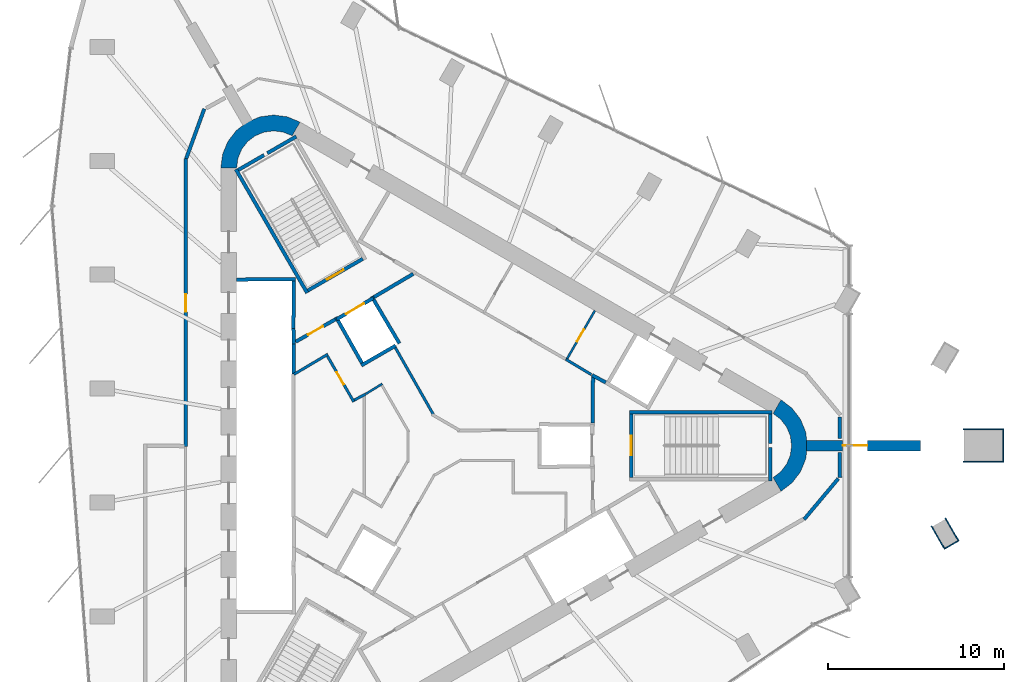
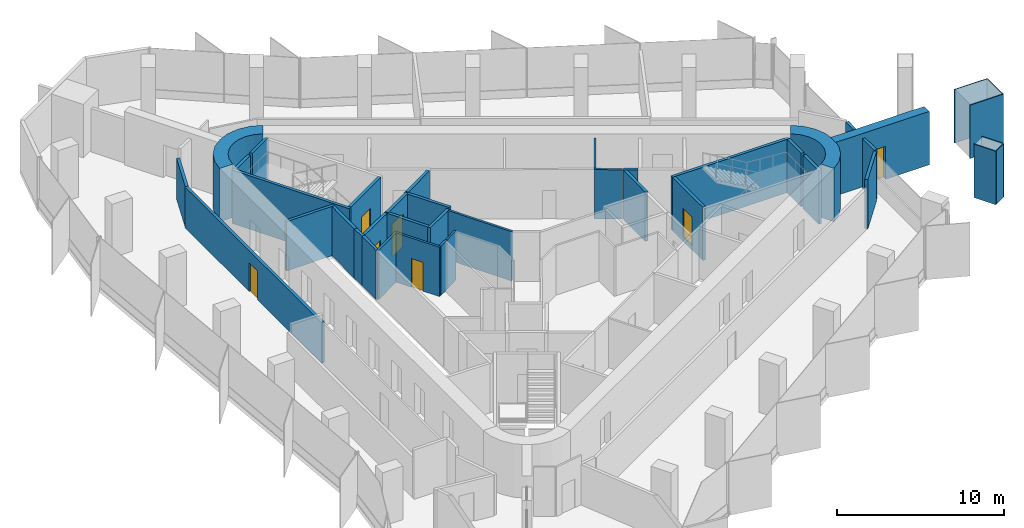
# One storey, part 9 of 12: 41 walls, 8 doors, 8 openings.
"""IFC4 building model written with IfcOpenShell, lengths in metres."""

from ifc_helpers import new_model, si_unit, direction, frame, frame_2d, origin, place, context, subcontext, project, spatial, polyline, rectangle, outline, extrude, material, layer, layer_set, type_object, element, fill, save


model = new_model("IFC4")

# Units and contexts
model_context = context("Model", 3, precision=1e-05, world=origin(), true_north=direction((0.0, 1.0)))
body_context = subcontext(model_context, "Body", "Model", "MODEL_VIEW")
ifc_project = project(units=[si_unit("LENGTHUNIT", "METRE"), si_unit("AREAUNIT", "SQUARE_METRE"), si_unit("VOLUMEUNIT", "CUBIC_METRE"), si_unit("PLANEANGLEUNIT", "RADIAN"), si_unit("MASSUNIT", "GRAM", prefix="KILO")], contexts=[model_context])

# Site, building, storey
site_placement = place(None, origin())
site = spatial("IfcSite", under=ifc_project, at=site_placement, CompositionType="ELEMENT")
building_placement = place(site_placement, origin())
building = spatial("IfcBuilding", under=site, at=building_placement, Name="Tanit Gate Tower", CompositionType="ELEMENT")
storey_placement = place(building_placement, frame((0.0, 0.0, 384.5)))
storey = spatial("IfcBuildingStorey", under=building, at=storey_placement, Name="L88", CompositionType="ELEMENT", Elevation=384.5)

# Wall, opening, door
ifc_material_1 = material(Name="Concrete C40/50", Category="concrete")
ifc_layer_1 = layer(ifc_material_1, 0.60009765625)
ifc_layer_set_1 = layer_set([ifc_layer_1], Name="BUTTRESS FIN 600 C40/50")
wall_type_1 = type_object("IfcWallType", Name="BUTTRESS FIN 600 C40/50", PredefinedType="SHEAR", material=ifc_layer_set_1)
wall_1_placement = place(storey_placement, frame((21.14990234375, 0.0, 0.0), z_axis=(0.0, 0.0, 1.0), x_axis=(1.0, 0.0, 0.0)))
wall_1 = element("IfcWall", 1, at=wall_1_placement, inside=storey, type_object=wall_type_1, Name="BUTTRESS FIN", PredefinedType="SHEAR", context=body_context, shape_type="SweptSolid", body=[
    extrude(rectangle(XDim=6.455078125, YDim=0.60009765625, at=frame_2d((3.2275390625, 0.0))), origin(), (0.0, 0.0, 1.0), 3.89990234375),
])
opening_1_placement = place(wall_1_placement, frame((2.050048828125, 0.0, 0.0)))
opening_1 = element("IfcOpeningElement", 2, at=opening_1_placement, cuts=wall_1, Name="Opening P14-88-F-E-1", PredefinedType="OPENING", context=body_context, shape_type="SweptSolid", body=[
    extrude(rectangle(XDim=1.39990234375, YDim=2.39990234375, at=frame_2d((0.699951171875, 1.199951171875))), frame((0.0, 0.31005859375, 0.0), z_axis=(0.0, -1.0, 0.0), x_axis=(1.0, 0.0, 0.0)), (0.0, 0.0, 1.0), 0.6201171875),
])
ifc_material_2 = material(Name="Timber door leaf", Category="wood")
door_type_1 = type_object("IfcDoorType", Name="INT-DOOR-FIN-PAIR-1400", OperationType="NOTDEFINED", PredefinedType="NOTDEFINED", material=ifc_material_2)
door_1_placement = place(opening_1_placement, origin())
door_1 = element("IfcDoor", 3, at=door_1_placement, inside=storey, type_object=door_type_1, Name="Door P14-88-F-E-1", OperationType="DOUBLE_DOOR_SINGLE_SWING", OverallHeight=2.39990234375, OverallWidth=1.39990234375, PredefinedType="NOTDEFINED", context=body_context, shape_type="SweptSolid", body=[
    extrude(rectangle(XDim=1.39990234375, YDim=2.39990234375, at=frame_2d((0.699951171875, 1.199951171875))), frame((0.0, 0.02490234375, 0.0), z_axis=(0.0, -1.0, 0.0), x_axis=(1.0, 0.0, 0.0)), (0.0, 0.0, 1.0), 0.050048828125),
])
fill(opening_1, door_1)

# Walls
ifc_material_3 = material(Name="Concrete C40/50", Category="concrete")
ifc_layer_2 = layer(ifc_material_3, 0.89990234375)
ifc_layer_set_2 = layer_set([ifc_layer_2], Name="CORE WALL 900 C40/50")
wall_type_2 = type_object("IfcWallType", Name="CORE WALL 900 C40/50", PredefinedType="SHEAR", material=ifc_layer_set_2)
wall_2_placement = place(storey_placement, origin())
element("IfcWall", 4, at=wall_2_placement, inside=storey, type_object=wall_type_2, Name="CORE WALL CORNER", PredefinedType="SHEAR", context=body_context, shape_type="SweptSolid", body=[
    extrude(outline(polyline([(-7.60009765625, 18.359619140625), (-8.323486328125, 18.659423828125), (-9.10009765625, 18.76171875), (-9.87646484375, 18.659423828125), (-10.60009765625, 18.359619140625), (-11.22119140625, 17.883056640625), (-11.697998046875, 17.26171875), (-11.997802734375, 16.5380859375), (-12.10009765625, 15.76171875), (-11.199951171875, 15.76171875), (-11.12841796875, 16.30517578125), (-10.918701171875, 16.811767578125), (-10.5849609375, 17.24658203125), (-10.14990234375, 17.580322265625), (-9.6435546875, 17.7900390625), (-9.10009765625, 17.86181640625), (-8.556396484375, 17.7900390625), (-8.050048828125, 17.580322265625), (-7.60009765625, 18.359619140625)])), origin(), (0.0, 0.0, 1.0), 3.89990234375),
])
wall_3_placement = place(storey_placement, origin())
element("IfcWall", 5, at=wall_3_placement, inside=storey, type_object=wall_type_2, Name="CORE WALL CORNER", PredefinedType="SHEAR", context=body_context, shape_type="SweptSolid", body=[
    extrude(outline(polyline([(19.699951171875, -2.59814453125), (20.3212890625, -2.121337890625), (20.798095703125, -1.5), (21.097900390625, -0.776611328125), (21.199951171875, 0.0), (21.097900390625, 0.776611328125), (20.798095703125, 1.5), (20.3212890625, 2.121337890625), (19.699951171875, 2.59814453125), (19.25, 1.818603515625), (19.684814453125, 1.48486328125), (20.018798828125, 1.050048828125), (20.228515625, 0.54345703125), (20.300048828125, 0.0), (20.228515625, -0.54345703125), (20.018798828125, -1.050048828125), (19.684814453125, -1.48486328125), (19.25, -1.818603515625), (19.699951171875, -2.59814453125)])), origin(), (0.0, 0.0, 1.0), 3.89990234375),
])
ifc_material_4 = material(Name="Bronze anodised aluminium cladding", Category="aluminium")
ifc_layer_3 = layer(ifc_material_4, 0.06005859375)
ifc_layer_set_3 = layer_set([ifc_layer_3], Name="Column casing bronze 60")
wall_type_3 = type_object("IfcWallType", Name="Column casing bronze 60", PredefinedType="SOLIDWALL", material=ifc_layer_set_3)
for number, where, z_axis, x_axis, name in (
    (6, (30.03564453125, 0.929931640625, 0.0), (0.0, 0.0, 1.0), (1.0, 0.0, 0.0), "Column casing L88 M-E.L1"),
    (7, (30.03564453125, -0.929931640625, 0.0), (0.0, 0.0, 1.0), (1.0, 0.0, 0.0), "Column casing L88 M-E.L2"),
):
    element("IfcWall", number, at=place(storey_placement, frame(where, z_axis=z_axis, x_axis=x_axis)), inside=storey, type_object=wall_type_3, Name=name, PredefinedType="SOLIDWALL", context=body_context, shape_type="SweptSolid", body=[
        extrude(rectangle(XDim=2.320068359375, YDim=0.06005859375, at=frame_2d((1.16015625, 0.0))), origin(), (0.0, 0.0, 1.0), 3.89990234375),
    ])
wall_4_placement = place(storey_placement, frame((32.32568359375, -0.89990234375, 0.0), z_axis=(0.0, 0.0, 1.0), x_axis=(0.0, 1.0, 0.0)))
element("IfcWall", 8, at=wall_4_placement, inside=storey, type_object=wall_type_3, Name="Column casing L88 M-E.S1", PredefinedType="SOLIDWALL", context=body_context, shape_type="SweptSolid", body=[
    extrude(rectangle(XDim=1.7998046875, YDim=0.06005859375, at=frame_2d((0.89990234375, 0.0))), origin(), (0.0, 0.0, 1.0), 3.89990234375),
])
for number, where, z_axis, x_axis, name in (
    (9, (29.023681640625, -4.11328125, 0.0), (0.0, 0.0, 1.0), (0.499991248344, -0.866030456496, 0.0), "Column casing L88 P-SE8.L1"),
    (10, (28.235595703125, -4.568115234375, 0.0), (0.0, 0.0, 1.0), (0.499991248344, -0.866030456496, 0.0), "Column casing L88 P-SE8.L2"),
):
    element("IfcWall", number, at=place(storey_placement, frame(where, z_axis=z_axis, x_axis=x_axis)), inside=storey, type_object=wall_type_3, Name=name, PredefinedType="SOLIDWALL", context=body_context, shape_type="SweptSolid", body=[
        extrude(rectangle(XDim=1.52001953125, YDim=0.06005859375, at=frame_2d((0.760009765625, 0.0))), origin(), (0.0, 0.0, 1.0), 3.89990234375),
    ])
wall_5_placement = place(storey_placement, frame((29.006591796875, -5.843505859375, 0.0), z_axis=(0.0, 0.0, 1.0), x_axis=(0.866113839764, 0.499846793097, 0.0)))
element("IfcWall", 11, at=wall_5_placement, inside=storey, type_object=wall_type_3, Name="Column casing L88 P-SE8.S1", PredefinedType="SOLIDWALL", context=body_context, shape_type="SweptSolid", body=[
    extrude(rectangle(XDim=0.849853515625, YDim=0.06005859375, at=frame_2d((0.4248046875, 0.0))), origin(), (0.0, 0.0, 1.0), 3.89990234375),
])
ifc_material_5 = material(Name="Fire-rated gypsum board partition")
ifc_layer_4 = layer(ifc_material_5, 0.199951171875)
ifc_layer_set_4 = layer_set([ifc_layer_4], Name="INT-WALL-COMPARTMENT")
wall_type_4 = type_object("IfcWallType", Name="INT-WALL-COMPARTMENT", PredefinedType="PARTITIONING", material=ifc_layer_set_4)
wall_6_placement = place(storey_placement, frame((8.97412109375, 3.998779296875, 0.0), z_axis=(0.0, 0.0, 1.0), x_axis=(0.880917147855, -0.473270513147, 0.0)))
element("IfcWall", 12, at=wall_6_placement, inside=storey, type_object=wall_type_4, Name="Wall Compartment W048", PredefinedType="PARTITIONING", context=body_context, shape_type="SweptSolid", body=[
    extrude(rectangle(XDim=0.8779296875, YDim=0.199951171875, at=frame_2d((0.43896484375, 0.0))), origin(), (0.0, 0.0, 1.0), 3.60009765625),
])
wall_7_placement = place(storey_placement, frame((9.0009765625, 1.27001953125, 0.0), z_axis=(0.0, 0.0, 1.0), x_axis=(0.010751103362, 0.999942205218, 0.0)))
element("IfcWall", 13, at=wall_7_placement, inside=storey, type_object=wall_type_4, Name="Wall Compartment W062", PredefinedType="PARTITIONING", context=body_context, shape_type="SweptSolid", body=[
    extrude(rectangle(XDim=2.72509765625, YDim=0.199951171875, at=frame_2d((1.362548828125, 0.0))), origin(), (0.0, 0.0, 1.0), 3.60009765625),
])
wall_8_placement = place(storey_placement, frame((-1.1787109375, 9.744873046875, 0.0), z_axis=(0.0, 0.0, 1.0), x_axis=(-0.860630814782, -0.509229418482, 0.0)))
element("IfcWall", 14, at=wall_8_placement, inside=storey, type_object=wall_type_4, Name="Wall Compartment W064", PredefinedType="PARTITIONING", context=body_context, shape_type="SweptSolid", body=[
    extrude(rectangle(XDim=2.581787109375, YDim=0.199951171875, at=frame_2d((1.291015625, 0.0))), origin(), (0.0, 0.0, 1.0), 3.60009765625),
])

# Wall, opening, door
wall_9_placement = place(storey_placement, frame((-5.600341796875, 7.16015625, 0.0), z_axis=(0.0, 0.0, 1.0), x_axis=(-0.871363259478, -0.490638431059, 0.0)))
wall_9 = element("IfcWall", 15, at=wall_9_placement, inside=storey, type_object=wall_type_4, Name="Wall Compartment W065", PredefinedType="PARTITIONING", context=body_context, shape_type="SweptSolid", body=[
    extrude(rectangle(XDim=2.5810546875, YDim=0.199951171875, at=frame_2d((1.29052734375, 0.0))), origin(), (0.0, 0.0, 1.0), 3.60009765625),
])
opening_2_placement = place(wall_9_placement, frame((0.79052734375, 0.0, 0.0)))
opening_2 = element("IfcOpeningElement", 16, at=opening_2_placement, cuts=wall_9, Name="Opening F10-88-05", PredefinedType="OPENING", context=body_context, shape_type="SweptSolid", body=[
    extrude(rectangle(XDim=1.0, YDim=2.10009765625, at=frame_2d((0.5, 1.050048828125))), frame((0.0, 0.10986328125, 0.0), z_axis=(0.0, -1.0, 0.0), x_axis=(1.0, 0.0, 0.0)), (0.0, 0.0, 1.0), 0.219970703125),
])
ifc_material_6 = material(Name="Fire-rated steel door leaf", Category="steel")
door_type_2 = type_object("IfcDoorType", Name="INT-DOOR-FIRE-1000", OperationType="NOTDEFINED", PredefinedType="USERDEFINED", material=ifc_material_6)
door_2_placement = place(opening_2_placement, origin())
door_2 = element("IfcDoor", 17, at=door_2_placement, inside=storey, type_object=door_type_2, Name="Door F10-88-05", ObjectType="FIRE DOOR", OperationType="SINGLE_SWING_LEFT", OverallHeight=2.10009765625, OverallWidth=1.0, PredefinedType="USERDEFINED", context=body_context, shape_type="SweptSolid", body=[
    extrude(rectangle(XDim=1.0, YDim=2.10009765625, at=frame_2d((0.5, 1.050048828125))), frame((0.0, 0.02490234375, 0.0), z_axis=(0.0, -1.0, 0.0), x_axis=(1.0, 0.0, 0.0)), (0.0, 0.0, 1.0), 0.050048828125),
])
fill(opening_2, door_2)

wall_10_placement = place(storey_placement, frame((-14.10009765625, 16.293701171875, 0.0), z_axis=(0.0, 0.0, 1.0), x_axis=(0.0, -1.0, 0.0)))
wall_10 = element("IfcWall", 18, at=wall_10_placement, inside=storey, type_object=wall_type_4, Name="Wall Compartment W092", PredefinedType="PARTITIONING", context=body_context, shape_type="SweptSolid", body=[
    extrude(rectangle(XDim=16.34375, YDim=0.199951171875, at=frame_2d((8.171875, 0.0))), origin(), (0.0, 0.0, 1.0), 2.969970703125),
])
opening_3_placement = place(wall_10_placement, frame((7.699951171875, 0.0, 0.0)))
opening_3 = element("IfcOpeningElement", 19, at=opening_3_placement, cuts=wall_10, Name="Opening F10-88-21", PredefinedType="OPENING", context=body_context, shape_type="SweptSolid", body=[
    extrude(rectangle(XDim=1.0, YDim=2.10009765625, at=frame_2d((0.5, 1.050048828125))), frame((0.0, 0.10986328125, 0.0), z_axis=(0.0, -1.0, 0.0), x_axis=(1.0, 0.0, 0.0)), (0.0, 0.0, 1.0), 0.219970703125),
])
door_3_placement = place(opening_3_placement, origin())
door_3 = element("IfcDoor", 20, at=door_3_placement, inside=storey, type_object=door_type_2, Name="Door F10-88-21", ObjectType="FIRE DOOR", OperationType="SINGLE_SWING_RIGHT", OverallHeight=2.10009765625, OverallWidth=1.0, PredefinedType="USERDEFINED", context=body_context, shape_type="SweptSolid", body=[
    extrude(rectangle(XDim=1.0, YDim=2.10009765625, at=frame_2d((0.5, 1.050048828125))), frame((0.0, 0.02490234375, 0.0), z_axis=(0.0, -1.0, 0.0), x_axis=(1.0, 0.0, 0.0)), (0.0, 0.0, 1.0), 0.050048828125),
])
fill(opening_3, door_3)

# Walls
wall_11_placement = place(storey_placement, frame((-13.037841796875, 19.11181640625, 0.0), z_axis=(0.0, 0.0, 1.0), x_axis=(-0.342062629946, -0.939677155833, 0.0)))
element("IfcWall", 21, at=wall_11_placement, inside=storey, type_object=wall_type_4, Name="Wall Compartment W093", PredefinedType="PARTITIONING", context=body_context, shape_type="SweptSolid", body=[
    extrude(rectangle(XDim=3.005615234375, YDim=0.199951171875, at=frame_2d((1.5029296875, 0.0))), origin(), (0.0, 0.0, 1.0), 2.969970703125),
])
wall_12_placement = place(storey_placement, frame((23.02294921875, 0.39990234375, 0.0), z_axis=(0.0, 0.0, 1.0), x_axis=(0.017127676622, 0.999853310588, 0.0)))
element("IfcWall", 22, at=wall_12_placement, inside=storey, type_object=wall_type_4, Name="Wall Compartment W107", PredefinedType="PARTITIONING", context=body_context, shape_type="SweptSolid", body=[
    extrude(rectangle(XDim=1.211669921875, YDim=0.199951171875, at=frame_2d((0.60595703125, 0.0))), origin(), (0.0, 0.0, 1.0), 3.60009765625),
])
wall_13_placement = place(storey_placement, frame((23.046875, -1.80126953125, 0.0), z_axis=(0.0, 0.0, 1.0), x_axis=(-0.017070682919, 0.999854285276, 0.0)))
element("IfcWall", 23, at=wall_13_placement, inside=storey, type_object=wall_type_4, Name="Wall Compartment W116", PredefinedType="PARTITIONING", context=body_context, shape_type="SweptSolid", body=[
    extrude(rectangle(XDim=1.401611328125, YDim=0.199951171875, at=frame_2d((0.70068359375, 0.0))), origin(), (0.0, 0.0, 1.0), 3.60009765625),
])
wall_14_placement = place(storey_placement, frame((21.009765625, -4.190673828125, 0.0), z_axis=(0.0, 0.0, 1.0), x_axis=(0.642808479337, 0.766026930918, 0.0)))
element("IfcWall", 24, at=wall_14_placement, inside=storey, type_object=wall_type_4, Name="Wall Compartment W117", PredefinedType="PARTITIONING", context=body_context, shape_type="SweptSolid", body=[
    extrude(rectangle(XDim=3.015625, YDim=0.199951171875, at=frame_2d((1.5078125, 0.0))), origin(), (0.0, 0.0, 1.0), 3.60009765625),
])

# Wall, opening, door
ifc_material_7 = material(Name="Gypsum board partition")
ifc_layer_5 = layer(ifc_material_7, 0.1201171875)
ifc_layer_set_5 = layer_set([ifc_layer_5], Name="INT-WALL-PARTITION")
wall_type_5 = type_object("IfcWallType", Name="INT-WALL-PARTITION", PredefinedType="PARTITIONING", material=ifc_layer_set_5)
wall_15_placement = place(storey_placement, frame((7.50830078125, 4.844970703125, 0.0), z_axis=(0.0, 0.0, 1.0), x_axis=(0.500017246033, 0.866015446554, 0.0)))
wall_15 = element("IfcWall", 25, at=wall_15_placement, inside=storey, type_object=wall_type_5, Name="Wall Partition W047", PredefinedType="PARTITIONING", context=body_context, shape_type="SweptSolid", body=[
    extrude(rectangle(XDim=3.25, YDim=0.1201171875, at=frame_2d((1.625, 0.0))), origin(), (0.0, 0.0, 1.0), 3.60009765625),
])
opening_4_placement = place(wall_15_placement, frame((1.22509765625, 0.0, 0.0)))
opening_4 = element("IfcOpeningElement", 26, at=opening_4_placement, cuts=wall_15, Name="Opening R08-88-14", PredefinedType="OPENING", context=body_context, shape_type="SweptSolid", body=[
    extrude(rectangle(XDim=0.800048828125, YDim=2.10009765625, at=frame_2d((0.39990234375, 1.050048828125))), frame((0.0, 0.070068359375, 0.0), z_axis=(0.0, -1.0, 0.0), x_axis=(1.0, 0.0, 0.0)), (0.0, 0.0, 1.0), 0.14013671875),
])
ifc_material_8 = material(Name="Timber door leaf", Category="wood")
door_type_3 = type_object("IfcDoorType", Name="INT-DOOR-RISER-800", OperationType="NOTDEFINED", PredefinedType="USERDEFINED", material=ifc_material_8)
door_4_placement = place(opening_4_placement, origin())
door_4 = element("IfcDoor", 27, at=door_4_placement, inside=storey, type_object=door_type_3, Name="Door R08-88-14", ObjectType="FIRE DOOR", OperationType="SINGLE_SWING_RIGHT", OverallHeight=2.10009765625, OverallWidth=0.800048828125, PredefinedType="USERDEFINED", context=body_context, shape_type="SweptSolid", body=[
    extrude(rectangle(XDim=0.800048828125, YDim=2.10009765625, at=frame_2d((0.39990234375, 1.050048828125))), frame((0.0, 0.02490234375, 0.0), z_axis=(0.0, -1.0, 0.0), x_axis=(1.0, 0.0, 0.0)), (0.0, 0.0, 1.0), 0.050048828125),
])
fill(opening_4, door_4)

# Walls
wall_16_placement = place(storey_placement, frame((-2.93505859375, 3.50341796875, 0.0), z_axis=(0.0, 0.0, 1.0), x_axis=(-0.852482838041, -0.522755211209, 0.0)))
element("IfcWall", 28, at=wall_16_placement, inside=storey, type_object=wall_type_5, Name="Wall Partition W084", PredefinedType="PARTITIONING", context=body_context, shape_type="SweptSolid", body=[
    extrude(rectangle(XDim=1.0966796875, YDim=0.1201171875, at=frame_2d((0.54833984375, 0.0))), origin(), (0.0, 0.0, 1.0), 3.60009765625),
])
ifc_material_9 = material(Name="Fire-rated gypsum board partition")
ifc_layer_6 = layer(ifc_material_9, 0.14990234375)
ifc_layer_set_6 = layer_set([ifc_layer_6], Name="INT-WALL-RISER")
wall_type_6 = type_object("IfcWallType", Name="INT-WALL-RISER", PredefinedType="PLUMBINGWALL", material=ifc_layer_set_6)
wall_17_placement = place(storey_placement, frame((8.9306640625, 4.026123046875, 0.0), z_axis=(0.0, 0.0, 1.0), x_axis=(-0.857531586833, 0.514431314738, 0.0)))
element("IfcWall", 29, at=wall_17_placement, inside=storey, type_object=wall_type_6, Name="Wall Riser W049", PredefinedType="PLUMBINGWALL", context=body_context, shape_type="SweptSolid", body=[
    extrude(rectangle(XDim=1.67138671875, YDim=0.14990234375, at=frame_2d((0.835693359375, 0.0))), origin(), (0.0, 0.0, 1.0), 3.60009765625),
])
wall_18_placement = place(storey_placement, frame((-2.18896484375, 5.549072265625, 0.0), z_axis=(0.0, 0.0, 1.0), x_axis=(0.494335077001, -0.869271437266, 0.0)))
element("IfcWall", 30, at=wall_18_placement, inside=storey, type_object=wall_type_6, Name="Wall Riser W070", PredefinedType="PLUMBINGWALL", context=body_context, shape_type="SweptSolid", body=[
    extrude(rectangle(XDim=4.404296875, YDim=0.14990234375, at=frame_2d((2.2021484375, 0.0))), origin(), (0.0, 0.0, 1.0), 3.60009765625),
])
wall_19_placement = place(storey_placement, frame((-6.023681640625, 5.183349609375, 0.0), z_axis=(0.0, 0.0, 1.0), x_axis=(-0.860126804455, -0.510080268447, 0.0)))
element("IfcWall", 31, at=wall_19_placement, inside=storey, type_object=wall_type_6, Name="Wall Riser W081", PredefinedType="PLUMBINGWALL", context=body_context, shape_type="SweptSolid", body=[
    extrude(rectangle(XDim=2.239501953125, YDim=0.14990234375, at=frame_2d((1.11962890625, 0.0))), origin(), (0.0, 0.0, 1.0), 3.60009765625),
])

# Wall, opening, door
wall_20_placement = place(storey_placement, frame((-4.55078125, 2.482177734375, 0.0), z_axis=(0.0, 0.0, 1.0), x_axis=(-0.499990139034, 0.866031096941, 0.0)))
wall_20 = element("IfcWall", 32, at=wall_20_placement, inside=storey, type_object=wall_type_6, Name="Wall Riser W082", PredefinedType="PLUMBINGWALL", context=body_context, shape_type="SweptSolid", body=[
    extrude(rectangle(XDim=3.0, YDim=0.14990234375, at=frame_2d((1.5, 0.0))), origin(), (0.0, 0.0, 1.0), 3.60009765625),
])
opening_5_placement = place(wall_20_placement, frame((1.137451171875, 0.0, 0.0)))
opening_5 = element("IfcOpeningElement", 33, at=opening_5_placement, cuts=wall_20, Name="Opening R08-88-12", PredefinedType="OPENING", context=body_context, shape_type="SweptSolid", body=[
    extrude(rectangle(XDim=0.800048828125, YDim=2.10009765625, at=frame_2d((0.39990234375, 1.050048828125))), frame((0.0, 0.0849609375, 0.0), z_axis=(0.0, -1.0, 0.0), x_axis=(1.0, 0.0, 0.0)), (0.0, 0.0, 1.0), 0.169921875),
])
door_5_placement = place(opening_5_placement, origin())
door_5 = element("IfcDoor", 34, at=door_5_placement, inside=storey, type_object=door_type_3, Name="Door R08-88-12", ObjectType="FIRE DOOR", OperationType="SINGLE_SWING_RIGHT", OverallHeight=2.10009765625, OverallWidth=0.800048828125, PredefinedType="USERDEFINED", context=body_context, shape_type="SweptSolid", body=[
    extrude(rectangle(XDim=0.800048828125, YDim=2.10009765625, at=frame_2d((0.39990234375, 1.050048828125))), frame((0.0, 0.02490234375, 0.0), z_axis=(0.0, -1.0, 0.0), x_axis=(1.0, 0.0, 0.0)), (0.0, 0.0, 1.0), 0.050048828125),
])
fill(opening_5, door_5)

# Walls
wall_21_placement = place(storey_placement, frame((-3.880615234375, 2.918701171875, 0.0), z_axis=(0.0, 0.0, 1.0), x_axis=(-0.885422176933, -0.464787659684, 0.0)))
element("IfcWall", 35, at=wall_21_placement, inside=storey, type_object=wall_type_6, Name="Wall Riser W083", PredefinedType="PLUMBINGWALL", context=body_context, shape_type="SweptSolid", body=[
    extrude(rectangle(XDim=0.724365234375, YDim=0.14990234375, at=frame_2d((0.3623046875, 0.0))), origin(), (0.0, 0.0, 1.0), 3.60009765625),
])
ifc_material_10 = material(Name="Gypsum shaft wall system")
ifc_layer_7 = layer(ifc_material_10, 0.199951171875)
ifc_layer_set_7 = layer_set([ifc_layer_7], Name="INT-WALL-SHAFT")
wall_type_7 = type_object("IfcWallType", Name="INT-WALL-SHAFT", PredefinedType="PLUMBINGWALL", material=ifc_layer_set_7)
wall_22_placement = place(storey_placement, frame((-11.199951171875, 9.419921875, 0.0), z_axis=(0.0, 0.0, 1.0), x_axis=(0.999957167047, 0.009255488683, 0.0)))
element("IfcWall", 36, at=wall_22_placement, inside=storey, type_object=wall_type_7, Name="Wall Shaft W001", PredefinedType="PLUMBINGWALL", context=body_context, shape_type="SweptSolid", body=[
    extrude(rectangle(XDim=3.35009765625, YDim=0.199951171875, at=frame_2d((1.675048828125, 0.0))), origin(), (0.0, 0.0, 1.0), 3.60009765625),
])
wall_23_placement = place(storey_placement, frame((-7.951171875, 9.35009765625, 0.0), z_axis=(0.0, 0.0, 1.0), x_axis=(-0.011120469654, -0.999938165666, 0.0)))
element("IfcWall", 37, at=wall_23_placement, inside=storey, type_object=wall_type_7, Name="Wall Shaft W002", PredefinedType="PLUMBINGWALL", context=body_context, shape_type="SweptSolid", body=[
    extrude(rectangle(XDim=2.700439453125, YDim=0.199951171875, at=frame_2d((1.35009765625, 0.0))), origin(), (0.0, 0.0, 1.0), 3.60009765625),
])
wall_24_placement = place(storey_placement, frame((-7.97705078125, 6.650146484375, 0.0), z_axis=(0.0, 0.0, 1.0), x_axis=(0.030861509705, -0.999523670164, 0.0)))
element("IfcWall", 38, at=wall_24_placement, inside=storey, type_object=wall_type_7, Name="Wall Shaft W003", PredefinedType="PLUMBINGWALL", context=body_context, shape_type="SweptSolid", body=[
    extrude(rectangle(XDim=0.878173828125, YDim=0.199951171875, at=frame_2d((0.43896484375, 0.0))), origin(), (0.0, 0.0, 1.0), 3.60009765625),
])
wall_25_placement = place(storey_placement, frame((-7.94921875, 5.894775390625, 0.0), z_axis=(0.0, 0.0, 1.0), x_axis=(-0.012042535896, -0.999927486035, 0.0)))
element("IfcWall", 39, at=wall_25_placement, inside=storey, type_object=wall_type_7, Name="Wall Shaft W004", PredefinedType="PLUMBINGWALL", context=body_context, shape_type="SweptSolid", body=[
    extrude(rectangle(XDim=1.844970703125, YDim=0.199951171875, at=frame_2d((0.92236328125, 0.0))), origin(), (0.0, 0.0, 1.0), 3.60009765625),
])

# Wall, opening, door
wall_26_placement = place(storey_placement, frame((-5.524169921875, 7.168212890625, 0.0), z_axis=(0.0, 0.0, 1.0), x_axis=(0.866024647952, 0.500001309137, 0.0)))
wall_26 = element("IfcWall", 40, at=wall_26_placement, inside=storey, type_object=wall_type_7, Name="Wall Shaft W034", PredefinedType="PLUMBINGWALL", context=body_context, shape_type="SweptSolid", body=[
    extrude(rectangle(XDim=2.39990234375, YDim=0.199951171875, at=frame_2d((1.199951171875, 0.0))), origin(), (0.0, 0.0, 1.0), 3.60009765625),
])
opening_6_placement = place(wall_26_placement, frame((0.60009765625, 0.0, 0.0)))
opening_6 = element("IfcOpeningElement", 41, at=opening_6_placement, cuts=wall_26, Name="Opening LDFL2-L88", PredefinedType="OPENING", context=body_context, shape_type="SweptSolid", body=[
    extrude(rectangle(XDim=1.199951171875, YDim=2.39990234375, at=frame_2d((0.60009765625, 1.199951171875))), frame((0.0, 0.10986328125, 0.0), z_axis=(0.0, -1.0, 0.0), x_axis=(1.0, 0.0, 0.0)), (0.0, 0.0, 1.0), 0.219970703125),
])
ifc_material_11 = material(Name="Stainless steel sliding door leaf", Category="steel")
door_type_4 = type_object("IfcDoorType", Name="INT-DOOR-LANDING-1200", OperationType="NOTDEFINED", PredefinedType="USERDEFINED", material=ifc_material_11)
door_6_placement = place(opening_6_placement, origin())
door_6 = element("IfcDoor", 42, at=door_6_placement, inside=storey, type_object=door_type_4, Name="Door LDFL2-L88", ObjectType="LANDING DOOR", OperationType="SLIDING_TO_LEFT", OverallHeight=2.39990234375, OverallWidth=1.199951171875, PredefinedType="USERDEFINED", context=body_context, shape_type="SweptSolid", body=[
    extrude(rectangle(XDim=1.199951171875, YDim=2.39990234375, at=frame_2d((0.60009765625, 1.199951171875))), frame((0.0, 0.02490234375, 0.0), z_axis=(0.0, -1.0, 0.0), x_axis=(1.0, 0.0, 0.0)), (0.0, 0.0, 1.0), 0.050048828125),
])
fill(opening_6, door_6)

# Walls
wall_27_placement = place(storey_placement, frame((-3.53759765625, 8.46533203125, 0.0), z_axis=(0.0, 0.0, 1.0), x_axis=(0.508647062354, -0.860975125052, 0.0)))
element("IfcWall", 43, at=wall_27_placement, inside=storey, type_object=wall_type_7, Name="Wall Shaft W035", PredefinedType="PLUMBINGWALL", context=body_context, shape_type="SweptSolid", body=[
    extrude(rectangle(XDim=3.10009765625, YDim=0.199951171875, at=frame_2d((1.550048828125, 0.0))), origin(), (0.0, 0.0, 1.0), 3.60009765625),
])
wall_28_placement = place(storey_placement, frame((-2.17333984375, 5.67333984375, 0.0), z_axis=(0.0, 0.0, 1.0), x_axis=(-0.866028691075, -0.499994306202, 0.0)))
element("IfcWall", 44, at=wall_28_placement, inside=storey, type_object=wall_type_7, Name="Wall Shaft W036", PredefinedType="PLUMBINGWALL", context=body_context, shape_type="SweptSolid", body=[
    extrude(rectangle(XDim=2.25439453125, YDim=0.199951171875, at=frame_2d((1.127197265625, 0.0))), origin(), (0.0, 0.0, 1.0), 3.60009765625),
])
wall_29_placement = place(storey_placement, frame((-5.5625, 7.29638671875, 0.0), z_axis=(0.0, 0.0, 1.0), x_axis=(0.49134651263, -0.870964180966, 0.0)))
element("IfcWall", 45, at=wall_29_placement, inside=storey, type_object=wall_type_7, Name="Wall Shaft W037", PredefinedType="PLUMBINGWALL", context=body_context, shape_type="SweptSolid", body=[
    extrude(rectangle(XDim=3.000244140625, YDim=0.199951171875, at=frame_2d((1.5, 0.0))), origin(), (0.0, 0.0, 1.0), 3.60009765625),
])
ifc_material_12 = material(Name="Concrete C40/50", Category="concrete")
ifc_layer_8 = layer(ifc_material_12, 0.199951171875)
ifc_layer_set_8 = layer_set([ifc_layer_8], Name="INT-WALL-STAIR")
wall_type_8 = type_object("IfcWallType", Name="INT-WALL-STAIR", PredefinedType="SHEAR", material=ifc_layer_set_8)
wall_30_placement = place(storey_placement, frame((19.199951171875, 1.89990234375, -0.300048828125), z_axis=(0.0, 0.0, 1.0), x_axis=(-1.0, 0.0, 0.0)))
element("IfcWall", 46, at=wall_30_placement, inside=storey, type_object=wall_type_8, Name="Wall Stair W020", PredefinedType="SHEAR", context=body_context, shape_type="SweptSolid", body=[
    extrude(rectangle(XDim=8.099853515625, YDim=0.199951171875, at=frame_2d((4.0498046875, 0.0))), origin(), (0.0, 0.0, 1.0), 3.900146484375),
])
wall_31_placement = place(storey_placement, frame((19.10009765625, -2.0, -0.300048828125), z_axis=(0.0, 0.0, 1.0), x_axis=(0.0, 1.0, 0.0)))
element("IfcWall", 47, at=wall_31_placement, inside=storey, type_object=wall_type_8, Name="Wall Stair W022", PredefinedType="SHEAR", context=body_context, shape_type="SweptSolid", body=[
    extrude(rectangle(XDim=1.889892578125, YDim=0.199951171875, at=frame_2d((0.94482421875, 0.0))), origin(), (0.0, 0.0, 1.0), 3.900146484375),
])
wall_32_placement = place(storey_placement, frame((19.10009765625, 0.110107421875, -0.300048828125), z_axis=(0.0, 0.0, 1.0), x_axis=(0.0, 1.0, 0.0)))
element("IfcWall", 48, at=wall_32_placement, inside=storey, type_object=wall_type_8, Name="Wall Stair W021", PredefinedType="SHEAR", context=body_context, shape_type="SweptSolid", body=[
    extrude(rectangle(XDim=1.68994140625, YDim=0.199951171875, at=frame_2d((0.844970703125, 0.0))), origin(), (0.0, 0.0, 1.0), 3.900146484375),
])

# Wall, opening, door
wall_33_placement = place(storey_placement, frame((11.199951171875, -1.800048828125, -0.300048828125), z_axis=(0.0, 0.0, 1.0), x_axis=(0.0, 1.0, 0.0)))
wall_33 = element("IfcWall", 49, at=wall_33_placement, inside=storey, type_object=wall_type_8, Name="Wall Stair W024", PredefinedType="SHEAR", context=body_context, shape_type="SweptSolid", body=[
    extrude(rectangle(XDim=3.60009765625, YDim=0.199951171875, at=frame_2d((1.800048828125, 0.0))), origin(), (0.0, 0.0, 1.0), 3.900146484375),
])
opening_7_placement = place(wall_33_placement, frame((1.25, 0.0, 0.300048828125)))
opening_7 = element("IfcOpeningElement", 50, at=opening_7_placement, cuts=wall_33, Name="Opening S11-88-01", PredefinedType="OPENING", context=body_context, shape_type="SweptSolid", body=[
    extrude(rectangle(XDim=1.10009765625, YDim=2.10009765625, at=frame_2d((0.550048828125, 1.050048828125))), frame((0.0, 0.10986328125, 0.0), z_axis=(0.0, -1.0, 0.0), x_axis=(1.0, 0.0, 0.0)), (0.0, 0.0, 1.0), 0.219970703125),
])
ifc_material_13 = material(Name="Timber door leaf", Category="wood")
door_type_5 = type_object("IfcDoorType", Name="INT-DOOR-STAIR-1100", OperationType="NOTDEFINED", PredefinedType="USERDEFINED", material=ifc_material_13)
door_7_placement = place(opening_7_placement, origin())
door_7 = element("IfcDoor", 51, at=door_7_placement, inside=storey, type_object=door_type_5, Name="Door S11-88-01", ObjectType="FIRE DOOR", OperationType="SINGLE_SWING_LEFT", OverallHeight=2.10009765625, OverallWidth=1.10009765625, PredefinedType="USERDEFINED", context=body_context, shape_type="SweptSolid", body=[
    extrude(rectangle(XDim=1.10009765625, YDim=2.10009765625, at=frame_2d((0.550048828125, 1.050048828125))), frame((0.0, 0.02490234375, 0.0), z_axis=(0.0, -1.0, 0.0), x_axis=(1.0, 0.0, 0.0)), (0.0, 0.0, 1.0), 0.050048828125),
])
fill(opening_7, door_7)

# Walls
wall_34_placement = place(storey_placement, frame((-11.245361328125, 15.677734375, -0.300048828125), z_axis=(0.0, 0.0, 1.0), x_axis=(0.499977274689, -0.866038523851, 0.0)))
element("IfcWall", 52, at=wall_34_placement, inside=storey, type_object=wall_type_8, Name="Wall Stair W029", PredefinedType="SHEAR", context=body_context, shape_type="SweptSolid", body=[
    extrude(rectangle(XDim=8.10009765625, YDim=0.199951171875, at=frame_2d((4.050048828125, 0.0))), origin(), (0.0, 0.0, 1.0), 3.900146484375),
])
wall_35_placement = place(storey_placement, frame((-7.81787109375, 17.541015625, -0.300048828125), z_axis=(0.0, 0.0, 1.0), x_axis=(-0.866088799389, -0.499890179513, 0.0)))
element("IfcWall", 53, at=wall_35_placement, inside=storey, type_object=wall_type_8, Name="Wall Stair W031", PredefinedType="SHEAR", context=body_context, shape_type="SweptSolid", body=[
    extrude(rectangle(XDim=1.89013671875, YDim=0.199951171875, at=frame_2d((0.945068359375, 0.0))), origin(), (0.0, 0.0, 1.0), 3.900146484375),
])
wall_36_placement = place(storey_placement, frame((-9.645263671875, 16.486083984375, -0.300048828125), z_axis=(0.0, 0.0, 1.0), x_axis=(-0.866038843867, -0.499976720371, 0.0)))
element("IfcWall", 54, at=wall_36_placement, inside=storey, type_object=wall_type_8, Name="Wall Stair W030", PredefinedType="SHEAR", context=body_context, shape_type="SweptSolid", body=[
    extrude(rectangle(XDim=1.68994140625, YDim=0.199951171875, at=frame_2d((0.844970703125, 0.0))), origin(), (0.0, 0.0, 1.0), 3.900146484375),
])

# Wall, opening, door
wall_37_placement = place(storey_placement, frame((-7.158935546875, 8.799560546875, -0.300048828125), z_axis=(0.0, 0.0, 1.0), x_axis=(0.866047807691, 0.499961193289, 0.0)))
wall_37 = element("IfcWall", 55, at=wall_37_placement, inside=storey, type_object=wall_type_8, Name="Wall Stair W033", PredefinedType="SHEAR", context=body_context, shape_type="SweptSolid", body=[
    extrude(rectangle(XDim=3.599853515625, YDim=0.199951171875, at=frame_2d((1.7998046875, 0.0))), origin(), (0.0, 0.0, 1.0), 3.900146484375),
])
opening_8_placement = place(wall_37_placement, frame((1.25, 0.0, 0.300048828125)))
opening_8 = element("IfcOpeningElement", 56, at=opening_8_placement, cuts=wall_37, Name="Opening S11-88-04", PredefinedType="OPENING", context=body_context, shape_type="SweptSolid", body=[
    extrude(rectangle(XDim=1.10009765625, YDim=2.10009765625, at=frame_2d((0.550048828125, 1.050048828125))), frame((0.0, 0.10986328125, 0.0), z_axis=(0.0, -1.0, 0.0), x_axis=(1.0, 0.0, 0.0)), (0.0, 0.0, 1.0), 0.219970703125),
])
door_8_placement = place(opening_8_placement, origin())
door_8 = element("IfcDoor", 57, at=door_8_placement, inside=storey, type_object=door_type_5, Name="Door S11-88-04", ObjectType="FIRE DOOR", OperationType="SINGLE_SWING_LEFT", OverallHeight=2.10009765625, OverallWidth=1.10009765625, PredefinedType="USERDEFINED", context=body_context, shape_type="SweptSolid", body=[
    extrude(rectangle(XDim=1.10009765625, YDim=2.10009765625, at=frame_2d((0.550048828125, 1.050048828125))), frame((0.0, 0.02490234375, 0.0), z_axis=(0.0, -1.0, 0.0), x_axis=(1.0, 0.0, 0.0)), (0.0, 0.0, 1.0), 0.050048828125),
])
fill(opening_8, door_8)

save(model, "model.ifc")
